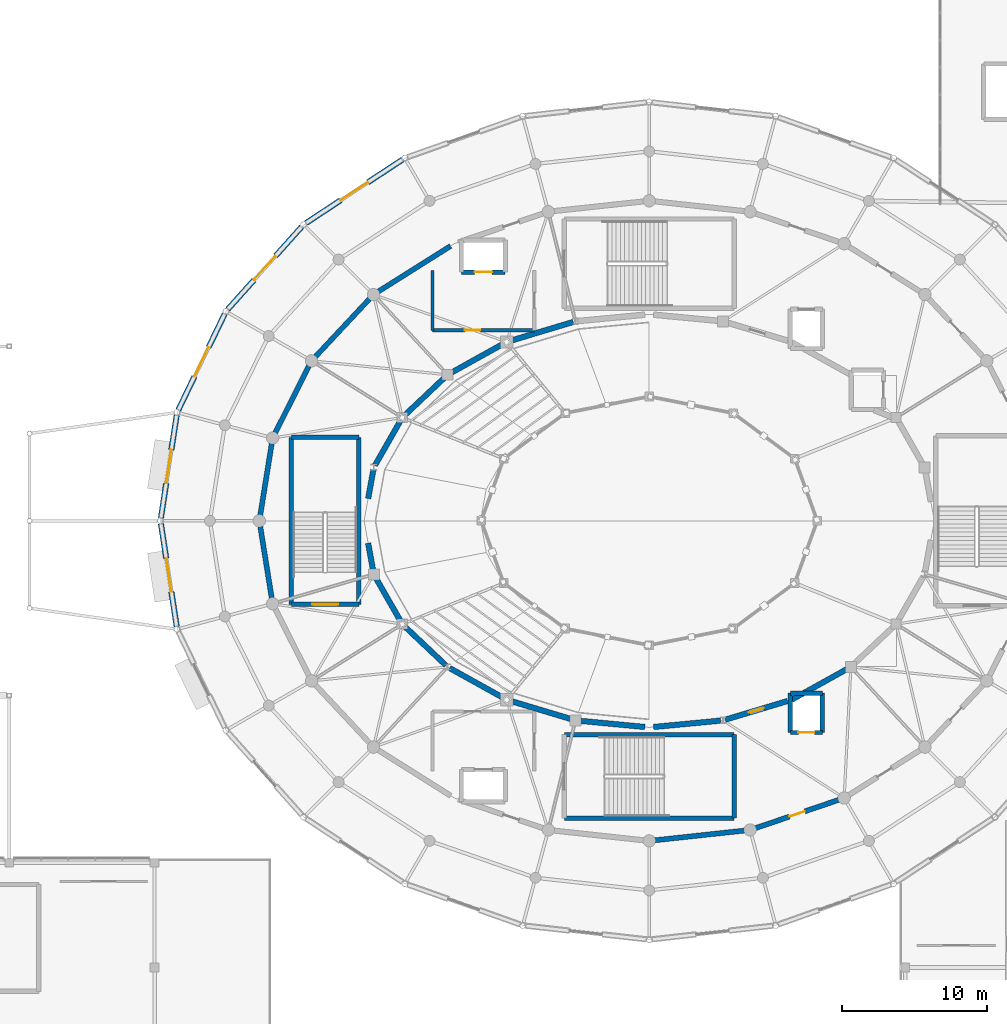
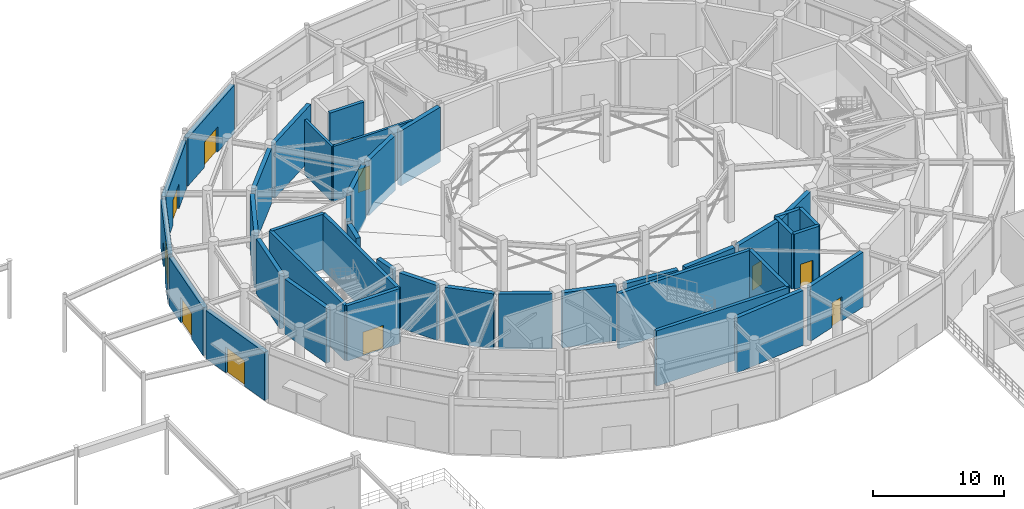
# One storey, part 54 of 93: 40 walls, 11 doors, 11 openings.
"""IFC4 building model written with IfcOpenShell, lengths in metres."""

from ifc_helpers import new_model, si_unit, direction, frame, frame_2d, origin, place, context, subcontext, project, spatial, rectangle, extrude, material, layer, layer_set, type_object, element, fill, save


model = new_model("IFC4")

# Units and contexts
model_context = context("Model", 3, precision=1e-05, world=origin(), true_north=direction((0.0, 1.0)))
body_context = subcontext(model_context, "Body", "Model", "MODEL_VIEW")
ifc_project = project(units=[si_unit("LENGTHUNIT", "METRE"), si_unit("AREAUNIT", "SQUARE_METRE"), si_unit("VOLUMEUNIT", "CUBIC_METRE"), si_unit("PLANEANGLEUNIT", "RADIAN"), si_unit("MASSUNIT", "GRAM", prefix="KILO")], contexts=[model_context])

# Site, building, storey
site_placement = place(None, origin())
site = spatial("IfcSite", under=ifc_project, at=site_placement, CompositionType="ELEMENT")
building_placement = place(site_placement, origin())
building = spatial("IfcBuilding", under=site, at=building_placement, Name="Cinderbank Siding Concert Hall", CompositionType="ELEMENT")
storey_placement = place(building_placement, origin())
storey = spatial("IfcBuildingStorey", under=building, at=storey_placement, Name="L01", CompositionType="ELEMENT", Elevation=0.0)

# Walls
ifc_material_1 = material(Name="Reinforced concrete AS 3600 N50 (50 MPa)", Category="concrete")
ifc_layer_1 = layer(ifc_material_1, 0.3798828125)
ifc_layer_set_1 = layer_set([ifc_layer_1], Name="Reinforced concrete AS 3600 N50 (50 MPa)")
wall_type_1 = type_object("IfcWallType", Name="WL-01 Structural Wall 380mm", PredefinedType="SOLIDWALL", material=ifc_layer_set_1)
wall_1_placement = place(storey_placement, frame((116.77392578125, 57.670166015625, 0.0), z_axis=(0.0, 0.0, 1.0), x_axis=(-0.957804976592, -0.287418904764, 0.0)))
element("IfcWall", 1, at=wall_1_placement, inside=storey, type_object=wall_type_1, Name="L01 Structural Wall SW-E1-L01-08", PredefinedType="SOLIDWALL", context=body_context, shape_type="SweptSolid", body=[
    extrude(rectangle(XDim=4.415283203125, YDim=0.3798828125, at=frame_2d((2.20751953125, 0.0))), origin(), (0.0, 0.0, 1.0), 5.1201171875),
])
wall_2_placement = place(storey_placement, frame((111.885498046875, 56.122802734375, 0.0), z_axis=(0.0, 0.0, 1.0), x_axis=(-0.874000773635, -0.485924528795, 0.0)))
element("IfcWall", 2, at=wall_2_placement, inside=storey, type_object=wall_type_1, Name="L01 Structural Wall SW-E1-L01-09", PredefinedType="SOLIDWALL", context=body_context, shape_type="SweptSolid", body=[
    extrude(rectangle(XDim=3.974609375, YDim=0.3798828125, at=frame_2d((1.9873046875, 0.0))), origin(), (0.0, 0.0, 1.0), 5.1201171875),
])
wall_3_placement = place(storey_placement, frame((107.915283203125, 53.828125, 0.0), z_axis=(0.0, 0.0, 1.0), x_axis=(-0.727101248405, -0.68653024301, 0.0)))
element("IfcWall", 3, at=wall_3_placement, inside=storey, type_object=wall_type_1, Name="L01 Structural Wall SW-E1-L01-10", PredefinedType="SOLIDWALL", context=body_context, shape_type="SweptSolid", body=[
    extrude(rectangle(XDim=3.688720703125, YDim=0.3798828125, at=frame_2d((1.84423828125, 0.0))), origin(), (0.0, 0.0, 1.0), 5.1201171875),
])
wall_4_placement = place(storey_placement, frame((104.884521484375, 50.8525390625, 0.0), z_axis=(0.0, 0.0, 1.0), x_axis=(-0.496379307123, -0.8681057444, 0.0)))
element("IfcWall", 4, at=wall_4_placement, inside=storey, type_object=wall_type_1, Name="L01 Structural Wall SW-E1-L01-11", PredefinedType="SOLIDWALL", context=body_context, shape_type="SweptSolid", body=[
    extrude(rectangle(XDim=3.5, YDim=0.3798828125, at=frame_2d((1.75, 0.0))), origin(), (0.0, 0.0, 1.0), 5.1201171875),
])
wall_5_placement = place(storey_placement, frame((103.039306640625, 47.517822265625, 0.0), z_axis=(0.0, 0.0, 1.0), x_axis=(-0.178800156153, -0.983885412108, 0.0)))
element("IfcWall", 5, at=wall_5_placement, inside=storey, type_object=wall_type_1, Name="L01 Structural Wall SW-E1-L01-12", PredefinedType="SOLIDWALL", context=body_context, shape_type="SweptSolid", body=[
    extrude(rectangle(XDim=2.015380859375, YDim=0.3798828125, at=frame_2d((1.0078125, 0.0))), origin(), (0.0, 0.0, 1.0), 5.1201171875),
])
wall_6_placement = place(storey_placement, frame((102.678955078125, 42.465087890625, 0.0), z_axis=(0.0, 0.0, 1.0), x_axis=(0.178793292117, -0.983886659476, 0.0)))
element("IfcWall", 6, at=wall_6_placement, inside=storey, type_object=wall_type_1, Name="L01 Structural Wall SW-E1-L01-13", PredefinedType="SOLIDWALL", context=body_context, shape_type="SweptSolid", body=[
    extrude(rectangle(XDim=1.865234375, YDim=0.3798828125, at=frame_2d((0.9326171875, 0.0))), origin(), (0.0, 0.0, 1.0), 5.1201171875),
])
wall_7_placement = place(storey_placement, frame((103.2216796875, 40.0556640625, 0.0), z_axis=(0.0, 0.0, 1.0), x_axis=(0.496366522372, -0.868113054543, 0.0)))
element("IfcWall", 7, at=wall_7_placement, inside=storey, type_object=wall_type_1, Name="L01 Structural Wall SW-E1-L01-14", PredefinedType="SOLIDWALL", context=body_context, shape_type="SweptSolid", body=[
    extrude(rectangle(XDim=3.35009765625, YDim=0.3798828125, at=frame_2d((1.675048828125, 0.0))), origin(), (0.0, 0.0, 1.0), 5.1201171875),
])
wall_8_placement = place(storey_placement, frame((105.233154296875, 36.704345703125, 0.0), z_axis=(0.0, 0.0, 1.0), x_axis=(0.727103094912, -0.686528287377, 0.0)))
element("IfcWall", 8, at=wall_8_placement, inside=storey, type_object=wall_type_1, Name="L01 Structural Wall SW-E1-L01-15", PredefinedType="SOLIDWALL", context=body_context, shape_type="SweptSolid", body=[
    extrude(rectangle(XDim=3.8388671875, YDim=0.3798828125, at=frame_2d((1.91943359375, 0.0))), origin(), (0.0, 0.0, 1.0), 5.1201171875),
])
wall_9_placement = place(storey_placement, frame((108.280517578125, 33.88134765625, 0.0), z_axis=(0.0, 0.0, 1.0), x_axis=(0.874014845015, -0.485899218659, 0.0)))
element("IfcWall", 9, at=wall_9_placement, inside=storey, type_object=wall_type_1, Name="L01 Structural Wall SW-E1-L01-16", PredefinedType="SOLIDWALL", context=body_context, shape_type="SweptSolid", body=[
    extrude(rectangle(XDim=4.12451171875, YDim=0.3798828125, at=frame_2d((2.062255859375, 0.0))), origin(), (0.0, 0.0, 1.0), 5.1201171875),
])
wall_10_placement = place(storey_placement, frame((112.544921875, 31.598876953125, 0.0), z_axis=(0.0, 0.0, 1.0), x_axis=(0.95780895372, -0.287405650907, 0.0)))
element("IfcWall", 10, at=wall_10_placement, inside=storey, type_object=wall_type_1, Name="L01 Structural Wall SW-E1-L01-17", PredefinedType="SOLIDWALL", context=body_context, shape_type="SweptSolid", body=[
    extrude(rectangle(XDim=4.26513671875, YDim=0.3798828125, at=frame_2d((2.132568359375, 0.0))), origin(), (0.0, 0.0, 1.0), 5.1201171875),
])
wall_11_placement = place(storey_placement, frame((117.235595703125, 30.25439453125, 0.0), z_axis=(0.0, 0.0, 1.0), x_axis=(0.995485683578, -0.094911821133, 0.0)))
element("IfcWall", 11, at=wall_11_placement, inside=storey, type_object=wall_type_1, Name="L01 Structural Wall SW-E1-L01-18", PredefinedType="SOLIDWALL", context=body_context, shape_type="SweptSolid", body=[
    extrude(rectangle(XDim=4.486083984375, YDim=0.3798828125, at=frame_2d((2.2431640625, 0.0))), origin(), (0.0, 0.0, 1.0), 5.1201171875),
])
wall_12_placement = place(storey_placement, frame((122.298583984375, 29.82861328125, 0.0), z_axis=(0.0, 0.0, 1.0), x_axis=(0.995481971411, 0.094950748265, 0.0)))
element("IfcWall", 12, at=wall_12_placement, inside=storey, type_object=wall_type_1, Name="L01 Structural Wall SW-E1-L01-19", PredefinedType="SOLIDWALL", context=body_context, shape_type="SweptSolid", body=[
    extrude(rectangle(XDim=4.635986328125, YDim=0.3798828125, at=frame_2d((2.31787109375, 0.0))), origin(), (0.0, 0.0, 1.0), 5.1201171875),
])

# Wall, opening, door
wall_13_placement = place(storey_placement, frame((127.22607421875, 30.329833984375, 0.0), z_axis=(0.0, 0.0, 1.0), x_axis=(0.957802259521, 0.287427959074, 0.0)))
wall_13 = element("IfcWall", 13, at=wall_13_placement, inside=storey, type_object=wall_type_1, Name="L01 Structural Wall SW-E1-L01-20", PredefinedType="SOLIDWALL", context=body_context, shape_type="SweptSolid", body=[
    extrude(rectangle(XDim=4.4755859375, YDim=0.3798828125, at=frame_2d((2.23779296875, 0.0))), origin(), (0.0, 0.0, 1.0), 5.1201171875),
])
opening_1_placement = place(wall_13_placement, frame((1.707763671875, 0.0, 0.0)))
opening_1 = element("IfcOpeningElement", 14, at=opening_1_placement, cuts=wall_13, Name="Opening D-18", PredefinedType="OPENING", context=body_context, shape_type="SweptSolid", body=[
    extrude(rectangle(XDim=1.06005859375, YDim=2.239990234375, at=frame_2d((0.530029296875, 1.1201171875))), frame((0.0, 0.201904296875, 0.0), z_axis=(0.0, -1.0, 0.0), x_axis=(1.0, 0.0, 0.0)), (0.0, 0.0, 1.0), 0.40380859375),
])
ifc_material_2 = material(Name="Solid-core spotted gum acoustic timber", Category="wood")
door_type_1 = type_object("IfcDoorType", Name="D-18 Interior Door 1060x2240", OperationType="NOTDEFINED", PredefinedType="DOOR", material=ifc_material_2)
door_1_placement = place(opening_1_placement, origin())
door_1 = element("IfcDoor", 15, at=door_1_placement, inside=storey, type_object=door_type_1, Name="L01 Auditorium Sound-Lock Door L01-D120", OperationType="SINGLE_SWING_LEFT", OverallHeight=2.239990234375, OverallWidth=1.06005859375, PredefinedType="DOOR", context=body_context, shape_type="SweptSolid", body=[
    extrude(rectangle(XDim=1.06005859375, YDim=2.239990234375, at=frame_2d((0.530029296875, 1.1201171875))), frame((0.0, 0.02490234375, 0.0), z_axis=(0.0, -1.0, 0.0), x_axis=(1.0, 0.0, 0.0)), (0.0, 0.0, 1.0), 0.050048828125),
])
fill(opening_1, door_1)

# Walls
wall_14_placement = place(storey_placement, frame((131.800048828125, 31.702392578125, 0.0), z_axis=(0.0, 0.0, 1.0), x_axis=(0.874003133987, 0.48592028336, 0.0)))
element("IfcWall", 16, at=wall_14_placement, inside=storey, type_object=wall_type_1, Name="L01 Structural Wall SW-E1-L01-21", PredefinedType="SOLIDWALL", context=body_context, shape_type="SweptSolid", body=[
    extrude(rectangle(XDim=4.33447265625, YDim=0.3798828125, at=frame_2d((2.167236328125, 0.0))), origin(), (0.0, 0.0, 1.0), 5.1201171875),
])
ifc_layer_2 = layer(ifc_material_1, 0.35009765625)
ifc_layer_set_2 = layer_set([ifc_layer_2], Name="Reinforced concrete AS 3600 N50 (50 MPa)")
wall_type_2 = type_object("IfcWallType", Name="WL-02 Structural Wall 350mm", PredefinedType="SHEAR", material=ifc_layer_set_2)
wall_15_placement = place(storey_placement, frame((108.34619140625, 62.892578125, 0.0), z_axis=(0.0, 0.0, 1.0), x_axis=(-0.846151979506, -0.532941673712, 0.0)))
element("IfcWall", 17, at=wall_15_placement, inside=storey, type_object=wall_type_2, Name="L01 Structural Wall SW-E2-L01-09", PredefinedType="SHEAR", context=body_context, shape_type="SweptSolid", body=[
    extrude(rectangle(XDim=5.89990234375, YDim=0.35009765625, at=frame_2d((2.949951171875, 0.0))), origin(), (0.0, 0.0, 1.0), 5.1201171875),
])
wall_16_placement = place(storey_placement, frame((102.8037109375, 59.293212890625, 0.0), z_axis=(0.0, 0.0, 1.0), x_axis=(-0.682874636689, -0.730535577893, 0.0)))
element("IfcWall", 18, at=wall_16_placement, inside=storey, type_object=wall_type_2, Name="L01 Structural Wall SW-E2-L01-10", PredefinedType="SHEAR", context=body_context, shape_type="SweptSolid", body=[
    extrude(rectangle(XDim=5.516845703125, YDim=0.35009765625, at=frame_2d((2.75830078125, 0.0))), origin(), (0.0, 0.0, 1.0), 5.1201171875),
])
wall_17_placement = place(storey_placement, frame((98.62841796875, 54.6787109375, 0.0), z_axis=(0.0, 0.0, 1.0), x_axis=(-0.450482420117, -0.892785298471, 0.0)))
element("IfcWall", 19, at=wall_17_placement, inside=storey, type_object=wall_type_2, Name="L01 Structural Wall SW-E2-L01-11", PredefinedType="SHEAR", context=body_context, shape_type="SweptSolid", body=[
    extrude(rectangle(XDim=5.223388671875, YDim=0.35009765625, at=frame_2d((2.61181640625, 0.0))), origin(), (0.0, 0.0, 1.0), 5.1201171875),
])
for number, where, z_axis, x_axis, name in (
    (20, (96.05615234375, 49.33837890625, 0.0), (0.0, 0.0, 1.0), (-0.158339548841, -0.987384721004, 0.0), "L01 Structural Wall SW-E2-L01-12"),
    (21, (95.257080078125, 43.64453125, 0.0), (0.0, 0.0, 1.0), (0.158339548841, -0.987384721004, 0.0), "L01 Structural Wall SW-E2-L01-13"),
):
    element("IfcWall", number, at=place(storey_placement, frame(where, z_axis=z_axis, x_axis=x_axis)), inside=storey, type_object=wall_type_2, Name=name, PredefinedType="SHEAR", context=body_context, shape_type="SweptSolid", body=[
        extrude(rectangle(XDim=5.046630859375, YDim=0.35009765625, at=frame_2d((2.5234375, 0.0))), origin(), (0.0, 0.0, 1.0), 5.1201171875),
    ])
wall_18_placement = place(storey_placement, frame((122.35791015625, 22.038818359375, 0.0), z_axis=(0.0, 0.0, 1.0), x_axis=(0.994213694453, 0.107420341477, 0.0)))
element("IfcWall", 22, at=wall_18_placement, inside=storey, type_object=wall_type_2, Name="L01 Structural Wall SW-E2-L01-19", PredefinedType="SHEAR", context=body_context, shape_type="SweptSolid", body=[
    extrude(rectangle(XDim=6.2568359375, YDim=0.35009765625, at=frame_2d((3.12841796875, 0.0))), origin(), (0.0, 0.0, 1.0), 5.1201171875),
])

# Wall, opening, door
wall_19_placement = place(storey_placement, frame((129.277099609375, 22.865478515625, 0.0), z_axis=(0.0, 0.0, 1.0), x_axis=(0.946763241211, 0.321930683675, 0.0)))
wall_19 = element("IfcWall", 23, at=wall_19_placement, inside=storey, type_object=wall_type_2, Name="L01 Structural Wall SW-E2-L01-20", PredefinedType="SHEAR", context=body_context, shape_type="SweptSolid", body=[
    extrude(rectangle(XDim=6.107177734375, YDim=0.35009765625, at=frame_2d((3.0537109375, 0.0))), origin(), (0.0, 0.0, 1.0), 5.1201171875),
])
opening_2_placement = place(wall_19_placement, frame((2.49365234375, 0.0, 0.0)))
opening_2 = element("IfcOpeningElement", 24, at=opening_2_placement, cuts=wall_19, Name="Opening D-19", PredefinedType="OPENING", context=body_context, shape_type="SweptSolid", body=[
    extrude(rectangle(XDim=1.1201171875, YDim=2.260009765625, at=frame_2d((0.56005859375, 1.1298828125))), frame((0.0, 0.18701171875, 0.0), z_axis=(0.0, -1.0, 0.0), x_axis=(1.0, 0.0, 0.0)), (0.0, 0.0, 1.0), 0.3740234375),
])
door_type_2 = type_object("IfcDoorType", Name="D-19 Interior Door 1120x2260", OperationType="NOTDEFINED", PredefinedType="DOOR", material=ifc_material_2)
door_2_placement = place(opening_2_placement, origin())
door_2 = element("IfcDoor", 25, at=door_2_placement, inside=storey, type_object=door_type_2, Name="L01 Auditorium Sound-Lock Door L01-D127", OperationType="SINGLE_SWING_RIGHT", OverallHeight=2.260009765625, OverallWidth=1.1201171875, PredefinedType="DOOR", context=body_context, shape_type="SweptSolid", body=[
    extrude(rectangle(XDim=1.1201171875, YDim=2.260009765625, at=frame_2d((0.56005859375, 1.1298828125))), frame((0.0, 0.02490234375, 0.0), z_axis=(0.0, -1.0, 0.0), x_axis=(1.0, 0.0, 0.0)), (0.0, 0.0, 1.0), 0.050048828125),
])
fill(opening_2, door_2)

# Walls
ifc_layer_3 = layer(ifc_material_1, 0.300048828125)
ifc_layer_set_3 = layer_set([ifc_layer_3], Name="Reinforced concrete AS 3600 N50 (50 MPa)")
wall_type_3 = type_object("IfcWallType", Name="WL-03 Structural Wall 300mm", PredefinedType="SHEAR", material=ifc_layer_set_3)
wall_20_placement = place(storey_placement, frame((127.840087890625, 29.300048828125, 0.0), z_axis=(0.0, 0.0, 1.0), x_axis=(0.0, -1.0, 0.0)))
element("IfcWall", 26, at=wall_20_placement, inside=storey, type_object=wall_type_3, Name="L01 ST-02 Core Wall FAR", PredefinedType="SHEAR", context=body_context, shape_type="SweptSolid", body=[
    extrude(rectangle(XDim=5.739990234375, YDim=0.300048828125, at=frame_2d((2.8701171875, 0.0))), origin(), (0.0, 0.0, 1.0), 5.139892578125),
])
for number, where, z_axis, x_axis, name in (
    (27, (127.840087890625, 23.56005859375, 0.0), (0.0, 0.0, 1.0), (-1.0, 0.0, 0.0), "L01 ST-02 Core Wall SIDE1"),
    (28, (116.159912109375, 29.300048828125, 0.0), (0.0, 0.0, 1.0), (1.0, 0.0, 0.0), "L01 ST-02 Core Wall SIDE2"),
):
    element("IfcWall", number, at=place(storey_placement, frame(where, z_axis=z_axis, x_axis=x_axis)), inside=storey, type_object=wall_type_3, Name=name, PredefinedType="SHEAR", context=body_context, shape_type="SweptSolid", body=[
        extrude(rectangle(XDim=11.68017578125, YDim=0.300048828125, at=frame_2d((5.840087890625, 0.0))), origin(), (0.0, 0.0, 1.0), 5.139892578125),
    ])

# Wall, opening, door
wall_21_placement = place(storey_placement, frame((102.0400390625, 38.260009765625, 0.0), z_axis=(0.0, 0.0, 1.0), x_axis=(-1.0, 0.0, 0.0)))
wall_21 = element("IfcWall", 29, at=wall_21_placement, inside=storey, type_object=wall_type_3, Name="L01 ST-04 Core Wall ENTRY", PredefinedType="SHEAR", context=body_context, shape_type="SweptSolid", body=[
    extrude(rectangle(XDim=4.64013671875, YDim=0.300048828125, at=frame_2d((2.320068359375, 0.0))), origin(), (0.0, 0.0, 1.0), 5.139892578125),
])
opening_3_placement = place(wall_21_placement, frame((1.419921875, 0.0, 0.0)))
opening_3 = element("IfcOpeningElement", 30, at=opening_3_placement, cuts=wall_21, Name="Opening D-05", PredefinedType="OPENING", context=body_context, shape_type="SweptSolid", body=[
    extrude(rectangle(XDim=1.800048828125, YDim=2.199951171875, at=frame_2d((0.89990234375, 1.10009765625))), frame((0.0, 0.162109375, 0.0), z_axis=(0.0, -1.0, 0.0), x_axis=(1.0, 0.0, 0.0)), (0.0, 0.0, 1.0), 0.323974609375),
])
ifc_material_3 = material(Name="Galvanised sheet steel acoustic fire door assembly", Category="steel")
door_type_3 = type_object("IfcDoorType", Name="D-05 Interior Door 1800x2200", OperationType="DOUBLE_DOOR_SINGLE_SWING", PredefinedType="DOOR", material=ifc_material_3)
door_3_placement = place(opening_3_placement, origin())
door_3 = element("IfcDoor", 31, at=door_3_placement, inside=storey, type_object=door_type_3, Name="L01 ST-04 Fire Stair Door L01-D023", OperationType="DOUBLE_DOOR_SINGLE_SWING", OverallHeight=2.199951171875, OverallWidth=1.800048828125, PredefinedType="DOOR", context=body_context, shape_type="SweptSolid", body=[
    extrude(rectangle(XDim=1.800048828125, YDim=2.199951171875, at=frame_2d((0.89990234375, 1.10009765625))), frame((0.0, 0.02490234375, 0.0), z_axis=(0.0, -1.0, 0.0), x_axis=(1.0, 0.0, 0.0)), (0.0, 0.0, 1.0), 0.050048828125),
])
fill(opening_3, door_3)

# Walls
wall_22_placement = place(storey_placement, frame((97.39990234375, 49.739990234375, 0.0), z_axis=(0.0, 0.0, 1.0), x_axis=(1.0, 0.0, 0.0)))
element("IfcWall", 32, at=wall_22_placement, inside=storey, type_object=wall_type_3, Name="L01 ST-04 Core Wall FAR", PredefinedType="SHEAR", context=body_context, shape_type="SweptSolid", body=[
    extrude(rectangle(XDim=4.64013671875, YDim=0.300048828125, at=frame_2d((2.320068359375, 0.0))), origin(), (0.0, 0.0, 1.0), 5.139892578125),
])
for number, where, z_axis, x_axis, name in (
    (33, (102.0400390625, 49.739990234375, 0.0), (0.0, 0.0, 1.0), (0.0, -1.0, 0.0), "L01 ST-04 Core Wall SIDE1"),
    (34, (97.39990234375, 38.260009765625, 0.0), (0.0, 0.0, 1.0), (0.0, 1.0, 0.0), "L01 ST-04 Core Wall SIDE2"),
):
    element("IfcWall", number, at=place(storey_placement, frame(where, z_axis=z_axis, x_axis=x_axis)), inside=storey, type_object=wall_type_3, Name=name, PredefinedType="SHEAR", context=body_context, shape_type="SweptSolid", body=[
        extrude(rectangle(XDim=11.47998046875, YDim=0.300048828125, at=frame_2d((5.739990234375, 0.0))), origin(), (0.0, 0.0, 1.0), 5.139892578125),
    ])

# Wall, opening, door
wall_23_placement = place(storey_placement, frame((133.89990234375, 29.449951171875, 0.0), z_axis=(0.0, 0.0, 1.0), x_axis=(-1.0, 0.0, 0.0)))
wall_23 = element("IfcWall", 35, at=wall_23_placement, inside=storey, type_object=wall_type_3, Name="L01 LF-02 Shaft Wall -Y", PredefinedType="SHEAR", context=body_context, shape_type="SweptSolid", body=[
    extrude(rectangle(XDim=2.199951171875, YDim=0.300048828125, at=frame_2d((1.10009765625, 0.0))), origin(), (0.0, 0.0, 1.0), 5.139892578125),
])
opening_4_placement = place(wall_23_placement, frame((0.550048828125, 0.0, 0.0)))
opening_4 = element("IfcOpeningElement", 36, at=opening_4_placement, cuts=wall_23, Name="Opening LD-01", PredefinedType="OPENING", context=body_context, shape_type="SweptSolid", body=[
    extrude(rectangle(XDim=1.10009765625, YDim=2.14990234375, at=frame_2d((0.550048828125, 1.074951171875))), frame((0.0, 0.162109375, 0.0), z_axis=(0.0, -1.0, 0.0), x_axis=(1.0, 0.0, 0.0)), (0.0, 0.0, 1.0), 0.323974609375),
])
door_type_4 = type_object("IfcDoorType", Name="LD-01 Interior Door 1100x2150", OperationType="DOUBLE_DOOR_SLIDING", PredefinedType="DOOR", material=ifc_material_3)
door_4_placement = place(opening_4_placement, origin())
door_4 = element("IfcDoor", 37, at=door_4_placement, inside=storey, type_object=door_type_4, Name="L01 LF-02 Sliding Landing Door", OperationType="DOUBLE_DOOR_SLIDING", OverallHeight=2.14990234375, OverallWidth=1.10009765625, PredefinedType="DOOR", context=body_context, shape_type="SweptSolid", body=[
    extrude(rectangle(XDim=1.10009765625, YDim=2.14990234375, at=frame_2d((0.550048828125, 1.074951171875))), frame((0.0, 0.02490234375, 0.0), z_axis=(0.0, -1.0, 0.0), x_axis=(1.0, 0.0, 0.0)), (0.0, 0.0, 1.0), 0.050048828125),
])
fill(opening_4, door_4)

# Walls
wall_24_placement = place(storey_placement, frame((133.89990234375, 32.14990234375, 0.0), z_axis=(0.0, 0.0, 1.0), x_axis=(0.0, -1.0, 0.0)))
element("IfcWall", 38, at=wall_24_placement, inside=storey, type_object=wall_type_3, Name="L01 LF-02 Shaft Wall +X", PredefinedType="SHEAR", context=body_context, shape_type="SweptSolid", body=[
    extrude(rectangle(XDim=2.699951171875, YDim=0.300048828125, at=frame_2d((1.35009765625, 0.0))), origin(), (0.0, 0.0, 1.0), 5.139892578125),
])
wall_25_placement = place(storey_placement, frame((131.699951171875, 32.14990234375, 0.0), z_axis=(0.0, 0.0, 1.0), x_axis=(1.0, 0.0, 0.0)))
element("IfcWall", 39, at=wall_25_placement, inside=storey, type_object=wall_type_3, Name="L01 LF-02 Shaft Wall +Y", PredefinedType="SHEAR", context=body_context, shape_type="SweptSolid", body=[
    extrude(rectangle(XDim=2.199951171875, YDim=0.300048828125, at=frame_2d((1.10009765625, 0.0))), origin(), (0.0, 0.0, 1.0), 5.1201171875),
])
wall_26_placement = place(storey_placement, frame((131.699951171875, 29.449951171875, 0.0), z_axis=(0.0, 0.0, 1.0), x_axis=(0.0, 1.0, 0.0)))
element("IfcWall", 40, at=wall_26_placement, inside=storey, type_object=wall_type_3, Name="L01 LF-02 Shaft Wall -X", PredefinedType="SHEAR", context=body_context, shape_type="SweptSolid", body=[
    extrude(rectangle(XDim=2.699951171875, YDim=0.300048828125, at=frame_2d((1.35009765625, 0.0))), origin(), (0.0, 0.0, 1.0), 5.1201171875),
])

# Wall, opening, door
wall_27_placement = place(storey_placement, frame((112.10009765625, 61.10009765625, 0.0), z_axis=(0.0, 0.0, 1.0), x_axis=(-1.0, 0.0, 0.0)))
wall_27 = element("IfcWall", 41, at=wall_27_placement, inside=storey, type_object=wall_type_3, Name="L01 LF-04 Shaft Wall -Y", PredefinedType="SHEAR", context=body_context, shape_type="SweptSolid", body=[
    extrude(rectangle(XDim=3.0, YDim=0.300048828125, at=frame_2d((1.5, 0.0))), origin(), (0.0, 0.0, 1.0), 5.139892578125),
])
opening_5_placement = place(wall_27_placement, frame((0.89990234375, 0.0, 0.0)))
opening_5 = element("IfcOpeningElement", 42, at=opening_5_placement, cuts=wall_27, Name="Opening LD-02", PredefinedType="OPENING", context=body_context, shape_type="SweptSolid", body=[
    extrude(rectangle(XDim=1.199951171875, YDim=2.14990234375, at=frame_2d((0.60009765625, 1.074951171875))), frame((0.0, 0.162109375, 0.0), z_axis=(0.0, -1.0, 0.0), x_axis=(1.0, 0.0, 0.0)), (0.0, 0.0, 1.0), 0.323974609375),
])
door_type_5 = type_object("IfcDoorType", Name="LD-02 Interior Door 1200x2150", OperationType="DOUBLE_DOOR_SLIDING", PredefinedType="DOOR", material=ifc_material_3)
door_5_placement = place(opening_5_placement, origin())
door_5 = element("IfcDoor", 43, at=door_5_placement, inside=storey, type_object=door_type_5, Name="L01 LF-04 Sliding Landing Door", OperationType="DOUBLE_DOOR_SLIDING", OverallHeight=2.14990234375, OverallWidth=1.199951171875, PredefinedType="DOOR", context=body_context, shape_type="SweptSolid", body=[
    extrude(rectangle(XDim=1.199951171875, YDim=2.14990234375, at=frame_2d((0.60009765625, 1.074951171875))), frame((0.0, 0.02490234375, 0.0), z_axis=(0.0, -1.0, 0.0), x_axis=(1.0, 0.0, 0.0)), (0.0, 0.0, 1.0), 0.050048828125),
])
fill(opening_5, door_5)

ifc_layer_4 = layer(ifc_material_1, 0.219970703125)
ifc_layer_set_4 = layer_set([ifc_layer_4], Name="Reinforced concrete AS 3600 N50 (50 MPa)")
wall_type_4 = type_object("IfcWallType", Name="WL-06 Interior Wall 220mm", PredefinedType="SOLIDWALL", material=ifc_layer_set_4)
wall_28_placement = place(storey_placement, frame((114.10009765625, 57.10009765625, 0.0), z_axis=(0.0, 0.0, 1.0), x_axis=(-1.0, 0.0, 0.0)))
wall_28 = element("IfcWall", 44, at=wall_28_placement, inside=storey, type_object=wall_type_4, Name="L01 Firefighting Lobby Wall FFLN-S", PredefinedType="SOLIDWALL", context=body_context, shape_type="SweptSolid", body=[
    extrude(rectangle(XDim=7.0, YDim=0.219970703125, at=frame_2d((3.5, 0.0))), origin(), (0.0, 0.0, 1.0), 5.125),
])
opening_6_placement = place(wall_28_placement, frame((3.72509765625, 0.0, 0.0)))
opening_6 = element("IfcOpeningElement", 45, at=opening_6_placement, cuts=wall_28, Name="Opening D-02", PredefinedType="OPENING", context=body_context, shape_type="SweptSolid", body=[
    extrude(rectangle(XDim=1.050048828125, YDim=2.14990234375, at=frame_2d((0.52490234375, 1.074951171875))), frame((0.0, 0.1220703125, 0.0), z_axis=(0.0, -1.0, 0.0), x_axis=(1.0, 0.0, 0.0)), (0.0, 0.0, 1.0), 0.243896484375),
])
door_type_6 = type_object("IfcDoorType", Name="D-02 Interior Door 1050x2150", OperationType="NOTDEFINED", PredefinedType="DOOR", material=ifc_material_3)
door_6_placement = place(opening_6_placement, origin())
door_6 = element("IfcDoor", 46, at=door_6_placement, inside=storey, type_object=door_type_6, Name="L01 Firefighting Lobby Door L01-D066", OperationType="SINGLE_SWING_LEFT", OverallHeight=2.14990234375, OverallWidth=1.050048828125, PredefinedType="DOOR", context=body_context, shape_type="SweptSolid", body=[
    extrude(rectangle(XDim=1.050048828125, YDim=2.14990234375, at=frame_2d((0.52490234375, 1.074951171875))), frame((0.0, 0.02490234375, 0.0), z_axis=(0.0, -1.0, 0.0), x_axis=(1.0, 0.0, 0.0)), (0.0, 0.0, 1.0), 0.050048828125),
])
fill(opening_6, door_6)

# Wall
wall_29_placement = place(storey_placement, frame((107.10009765625, 57.10009765625, 0.0), z_axis=(0.0, 0.0, 1.0), x_axis=(0.0, 1.0, 0.0)))
element("IfcWall", 47, at=wall_29_placement, inside=storey, type_object=wall_type_4, Name="L01 Firefighting Lobby Wall FFLN-W", PredefinedType="SOLIDWALL", context=body_context, shape_type="SweptSolid", body=[
    extrude(rectangle(XDim=4.099853515625, YDim=0.219970703125, at=frame_2d((2.0498046875, 0.0))), origin(), (0.0, 0.0, 1.0), 5.125),
])

# Wall, opening, door
ifc_material_4 = material(Name="Sydney Hawkesbury sandstone ashlar masonry", Category="masonry")
ifc_layer_5 = layer(ifc_material_4, 0.389892578125)
ifc_layer_set_5 = layer_set([ifc_layer_5], Name="Sydney Hawkesbury sandstone ashlar masonry")
wall_type_5 = type_object("IfcWallType", Name="WL-09 Exterior Wall 390mm", PredefinedType="STANDARD", material=ifc_layer_set_5)
wall_30_placement = place(storey_placement, frame((98.3984375, 64.468017578125, 0.0), z_axis=(0.0, 0.0, 1.0), x_axis=(0.835481991605, 0.549517826556, 0.0)))
wall_30 = element("IfcWall", 48, at=wall_30_placement, inside=storey, type_object=wall_type_5, Name="L01 Facade Wall EW-E4-L01-09", PredefinedType="STANDARD", context=body_context, shape_type="SweptSolid", body=[
    extrude(rectangle(XDim=7.95263671875, YDim=0.389892578125, at=frame_2d((3.976318359375, 0.0))), origin(), (0.0, 0.0, 1.0), 4.487060546875),
])
opening_7_placement = place(wall_30_placement, frame((2.856201171875, 0.0, 0.0)))
opening_7 = element("IfcOpeningElement", 49, at=opening_7_placement, cuts=wall_30, Name="Opening ED-D1", PredefinedType="OPENING", context=body_context, shape_type="SweptSolid", body=[
    extrude(rectangle(XDim=2.239990234375, YDim=2.35009765625, at=frame_2d((1.1201171875, 1.175048828125))), frame((0.0, 0.20703125, 0.0), z_axis=(0.0, -1.0, 0.0), x_axis=(1.0, 0.0, 0.0)), (0.0, 0.0, 1.0), 0.413818359375),
])
door_type_7 = type_object("IfcDoorType", Name="ED-D1 Exterior Door 2240x2350", OperationType="DOUBLE_DOOR_SINGLE_SWING", PredefinedType="DOOR", material=ifc_material_3)
door_7_placement = place(opening_7_placement, origin())
door_7 = element("IfcDoor", 50, at=door_7_placement, inside=storey, type_object=door_type_7, Name="Grand Foyer Exit Door S09", OperationType="DOUBLE_DOOR_SINGLE_SWING", OverallHeight=2.35009765625, OverallWidth=2.239990234375, PredefinedType="DOOR", context=body_context, shape_type="SweptSolid", body=[
    extrude(rectangle(XDim=2.239990234375, YDim=2.35009765625, at=frame_2d((1.1201171875, 1.175048828125))), frame((0.0, 0.02490234375, 0.0), z_axis=(0.0, -1.0, 0.0), x_axis=(1.0, 0.0, 0.0)), (0.0, 0.0, 1.0), 0.050048828125),
])
fill(opening_7, door_7)

wall_31_placement = place(storey_placement, frame((93.027099609375, 58.540283203125, 0.0), z_axis=(0.0, 0.0, 1.0), x_axis=(0.666987529742, 0.745068879479, 0.0)))
wall_31 = element("IfcWall", 51, at=wall_31_placement, inside=storey, type_object=wall_type_5, Name="L01 Facade Wall EW-E4-L01-10", PredefinedType="STANDARD", context=body_context, shape_type="SweptSolid", body=[
    extrude(rectangle(XDim=7.629150390625, YDim=0.389892578125, at=frame_2d((3.814453125, 0.0))), origin(), (0.0, 0.0, 1.0), 4.487060546875),
])
opening_8_placement = place(wall_31_placement, frame((2.694580078125, 0.0, 0.0)))
opening_8 = element("IfcOpeningElement", 52, at=opening_8_placement, cuts=wall_31, Name="Opening ED-D1", PredefinedType="OPENING", context=body_context, shape_type="SweptSolid", body=[
    extrude(rectangle(XDim=2.239990234375, YDim=2.35009765625, at=frame_2d((1.1201171875, 1.175048828125))), frame((0.0, 0.20703125, 0.0), z_axis=(0.0, -1.0, 0.0), x_axis=(1.0, 0.0, 0.0)), (0.0, 0.0, 1.0), 0.413818359375),
])
door_8_placement = place(opening_8_placement, origin())
door_8 = element("IfcDoor", 53, at=door_8_placement, inside=storey, type_object=door_type_7, Name="Grand Foyer Exit Door S10", OperationType="DOUBLE_DOOR_SINGLE_SWING", OverallHeight=2.35009765625, OverallWidth=2.239990234375, PredefinedType="DOOR", context=body_context, shape_type="SweptSolid", body=[
    extrude(rectangle(XDim=2.239990234375, YDim=2.35009765625, at=frame_2d((1.1201171875, 1.175048828125))), frame((0.0, 0.02490234375, 0.0), z_axis=(0.0, -1.0, 0.0), x_axis=(1.0, 0.0, 0.0)), (0.0, 0.0, 1.0), 0.050048828125),
])
fill(opening_8, door_8)

wall_32_placement = place(storey_placement, frame((89.626708984375, 51.62353515625, 0.0), z_axis=(0.0, 0.0, 1.0), x_axis=(0.435115618282, 0.900374588006, 0.0)))
wall_32 = element("IfcWall", 54, at=wall_32_placement, inside=storey, type_object=wall_type_5, Name="L01 Facade Wall EW-E4-L01-11", PredefinedType="STANDARD", context=body_context, shape_type="SweptSolid", body=[
    extrude(rectangle(XDim=7.337890625, YDim=0.389892578125, at=frame_2d((3.6689453125, 0.0))), origin(), (0.0, 0.0, 1.0), 4.487060546875),
])
opening_9_placement = place(wall_32_placement, frame((2.549072265625, 0.0, 0.0)))
opening_9 = element("IfcOpeningElement", 55, at=opening_9_placement, cuts=wall_32, Name="Opening ED-D1", PredefinedType="OPENING", context=body_context, shape_type="SweptSolid", body=[
    extrude(rectangle(XDim=2.239990234375, YDim=2.35009765625, at=frame_2d((1.1201171875, 1.175048828125))), frame((0.0, 0.20703125, 0.0), z_axis=(0.0, -1.0, 0.0), x_axis=(1.0, 0.0, 0.0)), (0.0, 0.0, 1.0), 0.413818359375),
])
door_9_placement = place(opening_9_placement, origin())
door_9 = element("IfcDoor", 56, at=door_9_placement, inside=storey, type_object=door_type_7, Name="Grand Foyer Exit Door S11", OperationType="DOUBLE_DOOR_SINGLE_SWING", OverallHeight=2.35009765625, OverallWidth=2.239990234375, PredefinedType="DOOR", context=body_context, shape_type="SweptSolid", body=[
    extrude(rectangle(XDim=2.239990234375, YDim=2.35009765625, at=frame_2d((1.1201171875, 1.175048828125))), frame((0.0, 0.02490234375, 0.0), z_axis=(0.0, -1.0, 0.0), x_axis=(1.0, 0.0, 0.0)), (0.0, 0.0, 1.0), 0.050048828125),
])
fill(opening_9, door_9)

wall_33_placement = place(storey_placement, frame((88.4287109375, 44.18603515625, 0.0), z_axis=(0.0, 0.0, 1.0), x_axis=(0.151798573045, 0.988411449358, 0.0)))
wall_33 = element("IfcWall", 57, at=wall_33_placement, inside=storey, type_object=wall_type_5, Name="L01 Facade Wall EW-E4-L01-12", PredefinedType="STANDARD", context=body_context, shape_type="SweptSolid", body=[
    extrude(rectangle(XDim=7.1650390625, YDim=0.389892578125, at=frame_2d((3.58251953125, 0.0))), origin(), (0.0, 0.0, 1.0), 4.487060546875),
])
opening_10_placement = place(wall_33_placement, frame((2.422607421875, 0.0, 0.0)))
opening_10 = element("IfcOpeningElement", 58, at=opening_10_placement, cuts=wall_33, Name="Opening ED-D2", PredefinedType="OPENING", context=body_context, shape_type="SweptSolid", body=[
    extrude(rectangle(XDim=2.320068359375, YDim=2.39990234375, at=frame_2d((1.16015625, 1.199951171875))), frame((0.0, 0.20703125, 0.0), z_axis=(0.0, -1.0, 0.0), x_axis=(1.0, 0.0, 0.0)), (0.0, 0.0, 1.0), 0.413818359375),
])
door_type_8 = type_object("IfcDoorType", Name="ED-D2 Exterior Door 2320x2400", OperationType="DOUBLE_DOOR_SINGLE_SWING", PredefinedType="DOOR", material=ifc_material_3)
door_10_placement = place(opening_10_placement, origin())
door_10 = element("IfcDoor", 59, at=door_10_placement, inside=storey, type_object=door_type_8, Name="Grand Foyer Exit Door S12", OperationType="DOUBLE_DOOR_SINGLE_SWING", OverallHeight=2.39990234375, OverallWidth=2.320068359375, PredefinedType="DOOR", context=body_context, shape_type="SweptSolid", body=[
    extrude(rectangle(XDim=2.320068359375, YDim=2.39990234375, at=frame_2d((1.16015625, 1.199951171875))), frame((0.0, 0.02490234375, 0.0), z_axis=(0.0, -1.0, 0.0), x_axis=(1.0, 0.0, 0.0)), (0.0, 0.0, 1.0), 0.050048828125),
])
fill(opening_10, door_10)

wall_34_placement = place(storey_placement, frame((89.516357421875, 36.73193359375, 0.0), z_axis=(0.0, 0.0, 1.0), x_axis=(-0.151798573045, 0.988411449358, 0.0)))
wall_34 = element("IfcWall", 60, at=wall_34_placement, inside=storey, type_object=wall_type_5, Name="L01 Facade Wall EW-E4-L01-13", PredefinedType="STANDARD", context=body_context, shape_type="SweptSolid", body=[
    extrude(rectangle(XDim=7.1650390625, YDim=0.389892578125, at=frame_2d((3.58251953125, 0.0))), origin(), (0.0, 0.0, 1.0), 4.487060546875),
])
opening_11_placement = place(wall_34_placement, frame((2.422607421875, 0.0, 0.0)))
opening_11 = element("IfcOpeningElement", 61, at=opening_11_placement, cuts=wall_34, Name="Opening ED-D2", PredefinedType="OPENING", context=body_context, shape_type="SweptSolid", body=[
    extrude(rectangle(XDim=2.320068359375, YDim=2.39990234375, at=frame_2d((1.16015625, 1.199951171875))), frame((0.0, 0.20703125, 0.0), z_axis=(0.0, -1.0, 0.0), x_axis=(1.0, 0.0, 0.0)), (0.0, 0.0, 1.0), 0.413818359375),
])
door_11_placement = place(opening_11_placement, origin())
door_11 = element("IfcDoor", 62, at=door_11_placement, inside=storey, type_object=door_type_8, Name="Grand Foyer Exit Door S13", OperationType="DOUBLE_DOOR_SINGLE_SWING", OverallHeight=2.39990234375, OverallWidth=2.320068359375, PredefinedType="DOOR", context=body_context, shape_type="SweptSolid", body=[
    extrude(rectangle(XDim=2.320068359375, YDim=2.39990234375, at=frame_2d((1.16015625, 1.199951171875))), frame((0.0, 0.02490234375, 0.0), z_axis=(0.0, -1.0, 0.0), x_axis=(1.0, 0.0, 0.0)), (0.0, 0.0, 1.0), 0.050048828125),
])
fill(opening_11, door_11)

save(model, "model.ifc")
